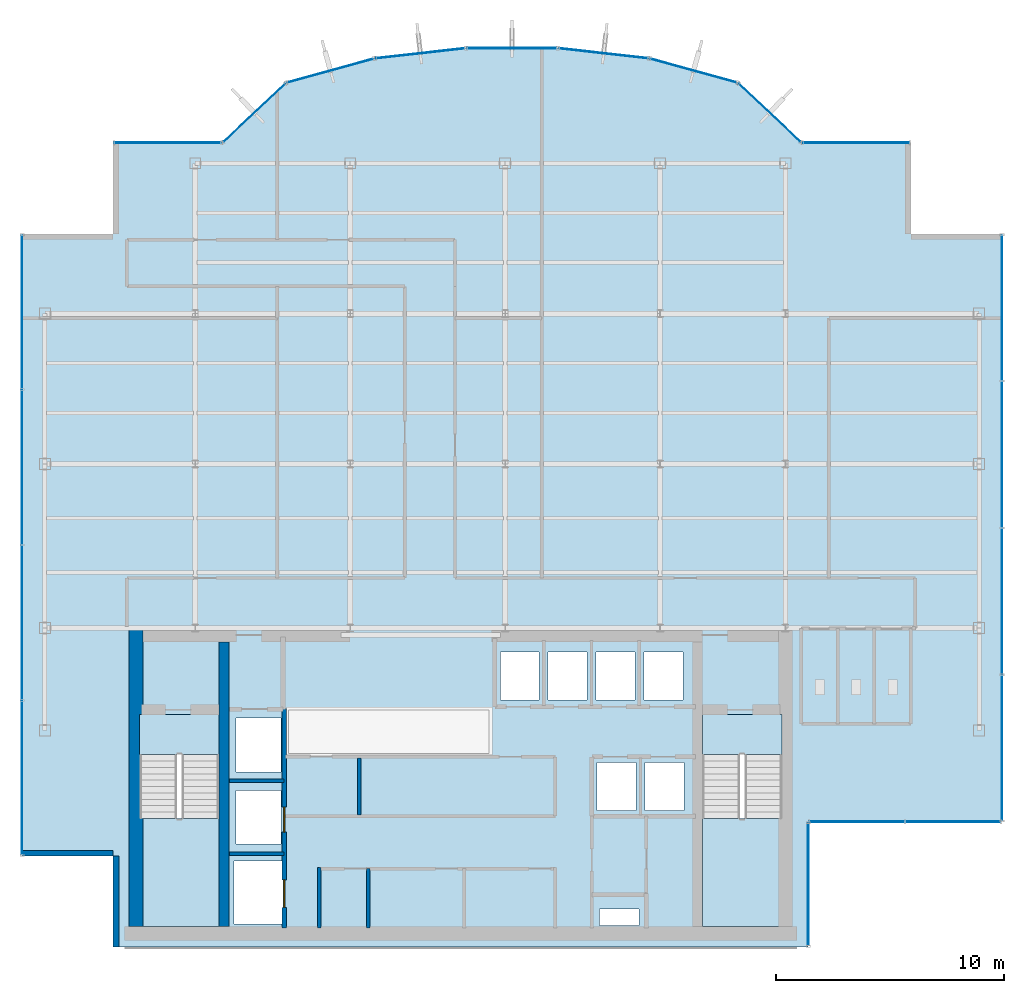
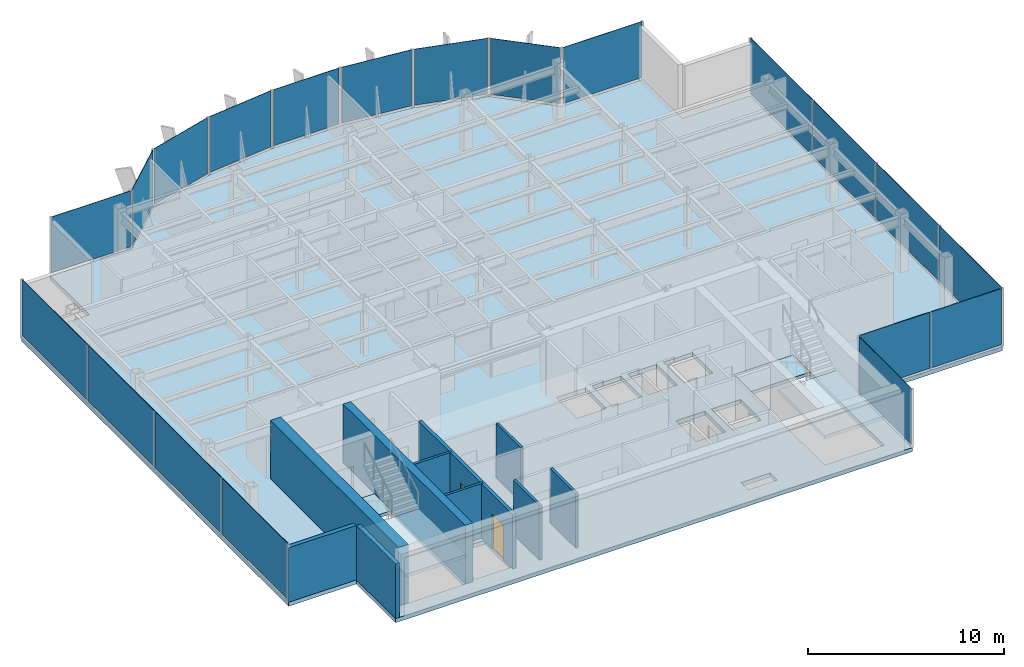
# One storey, part 16 of 22: 20 plates, 10 walls, 5 slabs, 2 doors, 2 openings, 15 elements without a shape of their own.
"""IFC4 building model written with IfcOpenShell, lengths in metres."""

from ifc_helpers import new_model, si_unit, derived_unit, direction, frame, frame_2d, origin, origin_2d, place, context, subcontext, project, spatial, polyline, rectangle, outline, extrude, source, transform, mapped, material, layer, layer_set, type_object, element, fill, aggregate, save


model = new_model("IFC4")

# Units and contexts
model_context = context("Model", 3, precision=1e-05, world=origin(), true_north=direction((0.0, 1.0)))
body_context = subcontext(model_context, "Body", "Model", "MODEL_VIEW")
ifc_project = project(units=[si_unit("LENGTHUNIT", "METRE"), si_unit("AREAUNIT", "SQUARE_METRE"), si_unit("VOLUMEUNIT", "CUBIC_METRE"), si_unit("PLANEANGLEUNIT", "RADIAN"), si_unit("MASSUNIT", "GRAM", prefix="KILO"), derived_unit("THERMALTRANSMITTANCEUNIT", [(si_unit("POWERUNIT", "WATT"), 1), (si_unit("LENGTHUNIT", "METRE"), -2), (si_unit("THERMODYNAMICTEMPERATUREUNIT", "KELVIN"), -1)])], contexts=[model_context])

# Site, building, storey
site_placement = place(None, origin())
site = spatial("IfcSite", under=ifc_project, at=site_placement, CompositionType="ELEMENT")
building_placement = place(site_placement, origin())
building = spatial("IfcBuilding", under=site, at=building_placement, Name="Skarnbrae Concourse Arena and Tower", CompositionType="ELEMENT")
storey_placement = place(building_placement, frame((0.0, 0.0, 192.25)))
storey = spatial("IfcBuildingStorey", under=building, at=storey_placement, Name="L49", CompositionType="ELEMENT", Elevation=192.25)

# Stair, slab
ifc_material_1 = material(Name="Concrete 40 MPa (C40/50)", Category="concrete")
stair_type = type_object("IfcStairType", Name="STAIR-DOGLEG-1650", PredefinedType="HALF_TURN_STAIR", material=ifc_material_1)
stair_1_placement = place(storey_placement, origin())
stair_1 = element("IfcStair", 1, at=stair_1_placement, inside=storey, type_object=stair_type, Name="L49 Protected Exit Stair ST-1", PredefinedType="HALF_TURN_STAIR")
ifc_layer_1 = layer(ifc_material_1, 0.199951171875)
ifc_layer_set_1 = layer_set([ifc_layer_1], Name="Concrete 40 MPa (C40/50)")
slab_type_1 = type_object("IfcSlabType", Name="SLAB-LANDING-200", PredefinedType="LANDING", material=ifc_layer_set_1)
slab_1_placement = place(storey_placement, frame((0.0, 0.0, 1.625)))
slab_1 = element("IfcSlab", 2, at=slab_1_placement, type_object=slab_type_1, Name="ST-1 landing 1", PredefinedType="LANDING", context=body_context, shape_type="SweptSolid", body=[
    extrude(outline(polyline([(5.14990234375, 5.64990234375), (5.14990234375, 0.89990234375), (8.64990234375, 0.89990234375), (8.64990234375, 5.64990234375), (5.14990234375, 5.64990234375)])), origin(), (0.0, 0.0, 1.0), 0.199951171875),
])
aggregate(stair_1, [slab_1])

stair_2_placement = place(storey_placement, origin())
stair_2 = element("IfcStair", 3, at=stair_2_placement, inside=storey, type_object=stair_type, Name="L49 Protected Exit Stair ST-2", PredefinedType="HALF_TURN_STAIR")
slab_2_placement = place(storey_placement, frame((0.0, 0.0, 1.625)))
slab_2 = element("IfcSlab", 4, at=slab_2_placement, type_object=slab_type_1, Name="ST-2 landing 1", PredefinedType="LANDING", context=body_context, shape_type="SweptSolid", body=[
    extrude(outline(polyline([(29.85009765625, 5.64990234375), (29.85009765625, 0.89990234375), (33.35009765625, 0.89990234375), (33.35009765625, 5.64990234375), (29.85009765625, 5.64990234375)])), origin(), (0.0, 0.0, 1.0), 0.199951171875),
])
aggregate(stair_2, [slab_2])

# Slabs
slab_3_placement = place(storey_placement, frame((0.0, 0.0, -0.199951171875)))
element("IfcSlab", 5, at=slab_3_placement, inside=storey, type_object=slab_type_1, Name="L49 Core stair ST1 floor landing", PredefinedType="LANDING", context=body_context, shape_type="SweptSolid", body=[
    extrude(outline(polyline([(5.14990234375, 10.199951171875), (5.14990234375, 8.449951171875), (8.64990234375, 8.449951171875), (8.64990234375, 10.199951171875), (5.14990234375, 10.199951171875)])), origin(), (0.0, 0.0, 1.0), 0.199951171875),
])
slab_4_placement = place(storey_placement, frame((0.0, 0.0, -0.199951171875)))
element("IfcSlab", 6, at=slab_4_placement, inside=storey, type_object=slab_type_1, Name="L49 Core stair ST2 floor landing", PredefinedType="LANDING", context=body_context, shape_type="SweptSolid", body=[
    extrude(outline(polyline([(29.85009765625, 10.199951171875), (29.85009765625, 8.449951171875), (33.35009765625, 8.449951171875), (33.35009765625, 10.199951171875), (29.85009765625, 10.199951171875)])), origin(), (0.0, 0.0, 1.0), 0.199951171875),
])
ifc_layer_2 = layer(ifc_material_1, 0.25)
ifc_layer_set_2 = layer_set([ifc_layer_2], Name="Concrete 40 MPa (C40/50)")
slab_type_2 = type_object("IfcSlabType", Name="SLAB-TOWER-250", PredefinedType="FLOOR", material=ifc_layer_set_2)
slab_5_placement = place(storey_placement, frame((0.0, 0.0, -0.25)))
element("IfcSlab", 7, at=slab_5_placement, inside=storey, type_object=slab_type_2, Name="L49 Structural floor slab", PredefinedType="FLOOR", context=body_context, shape_type="SweptSolid", body=[
    extrude(outline(polyline([(4.0, 0.0), (34.5, 0.0), (34.5, 5.5), (43.0, 5.5), (43.0, 31.300048828125), (39.0, 31.300048828125), (39.0, 35.300048828125), (34.199951171875, 35.300048828125), (31.40966796875, 37.9267578125), (27.52587890625, 38.9970703125), (23.51708984375, 39.44677734375), (19.48291015625, 39.44677734375), (15.47412109375, 38.9970703125), (11.59033203125, 37.9267578125), (8.800048828125, 35.300048828125), (4.0, 35.300048828125), (4.0, 31.300048828125), (0.0, 31.300048828125), (0.0, 4.0), (4.0, 4.0), (4.0, 0.0)]), holes=[polyline([(9.294921875, 1.02001953125), (9.294921875, 3.780029296875), (11.455078125, 3.780029296875), (11.455078125, 1.02001953125), (9.294921875, 1.02001953125)]), polyline([(8.64990234375, 10.199951171875), (8.64990234375, 0.89990234375), (5.14990234375, 0.89990234375), (5.14990234375, 10.199951171875), (8.64990234375, 10.199951171875)]), polyline([(9.39501953125, 6.8798828125), (11.35498046875, 6.8798828125), (11.35498046875, 4.52001953125), (9.39501953125, 4.52001953125), (9.39501953125, 6.8798828125)]), polyline([(9.39501953125, 7.695068359375), (9.39501953125, 10.054931640625), (11.35498046875, 10.054931640625), (11.35498046875, 7.695068359375), (9.39501953125, 7.695068359375)]), polyline([(20.985107421875, 12.955078125), (22.695068359375, 12.955078125), (22.695068359375, 10.844970703125), (20.985107421875, 10.844970703125), (20.985107421875, 12.955078125)]), polyline([(23.0849609375, 12.955078125), (24.794921875, 12.955078125), (24.794921875, 10.844970703125), (23.0849609375, 10.844970703125), (23.0849609375, 12.955078125)]), polyline([(25.35009765625, 0.949951171875), (25.35009765625, 1.669921875), (27.080078125, 1.669921875), (27.080078125, 0.949951171875), (25.35009765625, 0.949951171875)]), polyline([(33.35009765625, 10.199951171875), (33.35009765625, 0.89990234375), (29.85009765625, 0.89990234375), (29.85009765625, 10.199951171875), (33.35009765625, 10.199951171875)]), polyline([(25.235107421875, 8.10498046875), (26.945068359375, 8.10498046875), (26.945068359375, 5.9951171875), (25.235107421875, 5.9951171875), (25.235107421875, 8.10498046875)]), polyline([(27.3349609375, 5.9951171875), (27.3349609375, 8.10498046875), (29.044921875, 8.10498046875), (29.044921875, 5.9951171875), (27.3349609375, 5.9951171875)]), polyline([(25.18505859375, 12.955078125), (26.89501953125, 12.955078125), (26.89501953125, 10.844970703125), (25.18505859375, 10.844970703125), (25.18505859375, 12.955078125)]), polyline([(27.284912109375, 12.955078125), (28.9951171875, 12.955078125), (28.9951171875, 10.844970703125), (27.284912109375, 10.844970703125), (27.284912109375, 12.955078125)])]), origin(), (0.0, 0.0, 1.0), 0.25),
])

# Curtain wall, plate
ifc_material_2 = material(Name="Bronze anodised aluminium 6063-T6", Category="aluminium")
curtain_wall_type = type_object("IfcCurtainWallType", Name="CW-SYS-05-HIGHZONE", PredefinedType="USERDEFINED", material=ifc_material_2)
curtain_wall_1_placement = place(storey_placement, origin())
curtain_wall_1 = element("IfcCurtainWall", 8, at=curtain_wall_1_placement, inside=storey, type_object=curtain_wall_type, Name="L49 Unitised curtain wall CW-L49-E02", ObjectType="UNITISED CURTAIN WALL", PredefinedType="USERDEFINED")
ifc_material_3 = material(Name="Low-E triple insulating glass", Category="glass")
ifc_layer_3 = layer(ifc_material_3, 0.030029296875)
ifc_layer_set_3 = layer_set([ifc_layer_3], Name="Low-E triple insulating glass")
plate_type = type_object("IfcPlateType", Name="CWP-CW-05", PredefinedType="CURTAIN_PANEL", material=ifc_layer_set_3)
shared_shape_1 = source(origin(), body_context, "Body", "SweptSolid", [
    extrude(rectangle(XDim=5.35009765625, YDim=0.030029296875, at=origin_2d()), origin(), (0.0, 0.0, 1.0), 3.5),
])
plate_1_placement = place(storey_placement, frame((34.5, 2.75, 0.14990234375), z_axis=(0.0, 0.0, 1.0), x_axis=(0.0, 1.0, 0.0)))
plate_1 = element("IfcPlate", 9, at=plate_1_placement, type_object=plate_type, Name="CW-L49-E02 Low-E Glazing Panel 1", PredefinedType="CURTAIN_PANEL", context=body_context, shape_type="MappedRepresentation", body=[
    mapped(shared_shape_1, transform((0.0, 0.0, 0.0))),
])
aggregate(curtain_wall_1, [plate_1])

# Curtain wall, plates
curtain_wall_2_placement = place(storey_placement, origin())
curtain_wall_2 = element("IfcCurtainWall", 10, at=curtain_wall_2_placement, inside=storey, type_object=curtain_wall_type, Name="L49 Unitised curtain wall CW-L49-E03", ObjectType="UNITISED CURTAIN WALL", PredefinedType="USERDEFINED")
shared_shape_2 = source(origin(), body_context, "Body", "SweptSolid", [
    extrude(rectangle(XDim=4.137451171875, YDim=0.030029296875, at=origin_2d()), origin(), (0.0, 0.0, 1.0), 3.5),
])
plate_2_placement = place(storey_placement, frame((36.643798828125, 5.5, 0.14990234375), z_axis=(0.0, 0.0, 1.0), x_axis=(1.0, 0.0, 0.0)))
plate_2 = element("IfcPlate", 11, at=plate_2_placement, type_object=plate_type, Name="CW-L49-E03 Low-E Glazing Panel 1", PredefinedType="CURTAIN_PANEL", context=body_context, shape_type="MappedRepresentation", body=[
    mapped(shared_shape_2, transform((0.0, 0.0, 0.0))),
])
plate_3_placement = place(storey_placement, frame((40.856201171875, 5.5, 0.14990234375), z_axis=(0.0, 0.0, 1.0), x_axis=(1.0, 0.0, 0.0)))
plate_3 = element("IfcPlate", 12, at=plate_3_placement, type_object=plate_type, Name="CW-L49-E03 Low-E Glazing Panel 2", PredefinedType="CURTAIN_PANEL", context=body_context, shape_type="MappedRepresentation", body=[
    mapped(shared_shape_2, transform((0.0, 0.0, 0.0))),
])
aggregate(curtain_wall_2, [plate_2, plate_3])

# Curtain wall, plate
curtain_wall_3_placement = place(storey_placement, origin())
curtain_wall_3 = element("IfcCurtainWall", 13, at=curtain_wall_3_placement, inside=storey, type_object=curtain_wall_type, Name="L49 Unitised curtain wall CW-L49-E07", ObjectType="UNITISED CURTAIN WALL", PredefinedType="USERDEFINED")
shared_shape_3 = source(origin(), body_context, "Body", "SweptSolid", [
    extrude(rectangle(XDim=4.64990234375, YDim=0.030029296875, at=origin_2d()), origin(), (0.0, 0.0, 1.0), 3.5),
])
plate_4_placement = place(storey_placement, frame((36.60009765625, 35.300048828125, 0.14990234375), z_axis=(0.0, 0.0, 1.0), x_axis=(-1.0, 0.0, 0.0)))
plate_4 = element("IfcPlate", 14, at=plate_4_placement, type_object=plate_type, Name="CW-L49-E07 Low-E Glazing Panel 1", PredefinedType="CURTAIN_PANEL", context=body_context, shape_type="MappedRepresentation", body=[
    mapped(shared_shape_3, transform((0.0, 0.0, 0.0))),
])
aggregate(curtain_wall_3, [plate_4])

curtain_wall_4_placement = place(storey_placement, origin())
curtain_wall_4 = element("IfcCurtainWall", 15, at=curtain_wall_4_placement, inside=storey, type_object=curtain_wall_type, Name="L49 Unitised curtain wall CW-L49-E15", ObjectType="UNITISED CURTAIN WALL", PredefinedType="USERDEFINED")
plate_5_placement = place(storey_placement, frame((6.39990234375, 35.300048828125, 0.14990234375), z_axis=(0.0, 0.0, 1.0), x_axis=(-1.0, 0.0, 0.0)))
plate_5 = element("IfcPlate", 16, at=plate_5_placement, type_object=plate_type, Name="CW-L49-E15 Low-E Glazing Panel 1", PredefinedType="CURTAIN_PANEL", context=body_context, shape_type="MappedRepresentation", body=[
    mapped(shared_shape_3, transform((0.0, 0.0, 0.0))),
])
aggregate(curtain_wall_4, [plate_5])

curtain_wall_5_placement = place(storey_placement, origin())
curtain_wall_5 = element("IfcCurtainWall", 17, at=curtain_wall_5_placement, inside=storey, type_object=curtain_wall_type, Name="L49 Unitised curtain wall CW-L49-E08", ObjectType="UNITISED CURTAIN WALL", PredefinedType="USERDEFINED")
shared_shape_4 = source(origin(), body_context, "Body", "SweptSolid", [
    extrude(rectangle(XDim=3.68212890625, YDim=0.030029296875, at=origin_2d()), origin(), (0.0, 0.0, 1.0), 3.5),
])
plate_6_placement = place(storey_placement, frame((32.804931640625, 36.61328125, 0.14990234375), z_axis=(0.0, 0.0, 1.0), x_axis=(-0.728130555214, 0.685438468838, 0.0)))
plate_6 = element("IfcPlate", 18, at=plate_6_placement, type_object=plate_type, Name="CW-L49-E08 Low-E Glazing Panel 1", PredefinedType="CURTAIN_PANEL", context=body_context, shape_type="MappedRepresentation", body=[
    mapped(shared_shape_4, transform((0.0, 0.0, 0.0))),
])
aggregate(curtain_wall_5, [plate_6])

curtain_wall_6_placement = place(storey_placement, origin())
curtain_wall_6 = element("IfcCurtainWall", 19, at=curtain_wall_6_placement, inside=storey, type_object=curtain_wall_type, Name="L49 Unitised curtain wall CW-L49-E14", ObjectType="UNITISED CURTAIN WALL", PredefinedType="USERDEFINED")
plate_7_placement = place(storey_placement, frame((10.195068359375, 36.61328125, 0.14990234375), z_axis=(0.0, 0.0, 1.0), x_axis=(-0.728130555214, -0.685438468838, 0.0)))
plate_7 = element("IfcPlate", 20, at=plate_7_placement, type_object=plate_type, Name="CW-L49-E14 Low-E Glazing Panel 1", PredefinedType="CURTAIN_PANEL", context=body_context, shape_type="MappedRepresentation", body=[
    mapped(shared_shape_4, transform((0.0, 0.0, 0.0))),
])
aggregate(curtain_wall_6, [plate_7])

curtain_wall_7_placement = place(storey_placement, origin())
curtain_wall_7 = element("IfcCurtainWall", 21, at=curtain_wall_7_placement, inside=storey, type_object=curtain_wall_type, Name="L49 Unitised curtain wall CW-L49-E09", ObjectType="UNITISED CURTAIN WALL", PredefinedType="USERDEFINED")
shared_shape_5 = source(origin(), body_context, "Body", "SweptSolid", [
    extrude(rectangle(XDim=3.878662109375, YDim=0.030029296875, at=origin_2d()), origin(), (0.0, 0.0, 1.0), 3.5),
])
plate_8_placement = place(storey_placement, frame((29.4677734375, 38.4619140625, 0.14990234375), z_axis=(0.0, 0.0, 1.0), x_axis=(-0.964057388766, 0.265694093207, 0.0)))
plate_8 = element("IfcPlate", 22, at=plate_8_placement, type_object=plate_type, Name="CW-L49-E09 Low-E Glazing Panel 1", PredefinedType="CURTAIN_PANEL", context=body_context, shape_type="MappedRepresentation", body=[
    mapped(shared_shape_5, transform((0.0, 0.0, 0.0))),
])
aggregate(curtain_wall_7, [plate_8])

curtain_wall_8_placement = place(storey_placement, origin())
curtain_wall_8 = element("IfcCurtainWall", 23, at=curtain_wall_8_placement, inside=storey, type_object=curtain_wall_type, Name="L49 Unitised curtain wall CW-L49-E13", ObjectType="UNITISED CURTAIN WALL", PredefinedType="USERDEFINED")
plate_9_placement = place(storey_placement, frame((13.5322265625, 38.4619140625, 0.14990234375), z_axis=(0.0, 0.0, 1.0), x_axis=(-0.964057388766, -0.265694093207, 0.0)))
plate_9 = element("IfcPlate", 24, at=plate_9_placement, type_object=plate_type, Name="CW-L49-E13 Low-E Glazing Panel 1", PredefinedType="CURTAIN_PANEL", context=body_context, shape_type="MappedRepresentation", body=[
    mapped(shared_shape_5, transform((0.0, 0.0, 0.0))),
])
aggregate(curtain_wall_8, [plate_9])

curtain_wall_9_placement = place(storey_placement, origin())
curtain_wall_9 = element("IfcCurtainWall", 25, at=curtain_wall_9_placement, inside=storey, type_object=curtain_wall_type, Name="L49 Unitised curtain wall CW-L49-E10", ObjectType="UNITISED CURTAIN WALL", PredefinedType="USERDEFINED")
shared_shape_6 = source(origin(), body_context, "Body", "SweptSolid", [
    extrude(rectangle(XDim=3.8837890625, YDim=0.030029296875, at=origin_2d()), origin(), (0.0, 0.0, 1.0), 3.5),
])
plate_10_placement = place(storey_placement, frame((25.521484375, 39.221923828125, 0.14990234375), z_axis=(0.0, 0.0, 1.0), x_axis=(-0.993768891873, 0.111460259941, 0.0)))
plate_10 = element("IfcPlate", 26, at=plate_10_placement, type_object=plate_type, Name="CW-L49-E10 Low-E Glazing Panel 1", PredefinedType="CURTAIN_PANEL", context=body_context, shape_type="MappedRepresentation", body=[
    mapped(shared_shape_6, transform((0.0, 0.0, 0.0))),
])
aggregate(curtain_wall_9, [plate_10])

curtain_wall_10_placement = place(storey_placement, origin())
curtain_wall_10 = element("IfcCurtainWall", 27, at=curtain_wall_10_placement, inside=storey, type_object=curtain_wall_type, Name="L49 Unitised curtain wall CW-L49-E12", ObjectType="UNITISED CURTAIN WALL", PredefinedType="USERDEFINED")
plate_11_placement = place(storey_placement, frame((17.478515625, 39.221923828125, 0.14990234375), z_axis=(0.0, 0.0, 1.0), x_axis=(-0.993768891873, -0.111460259941, 0.0)))
plate_11 = element("IfcPlate", 28, at=plate_11_placement, type_object=plate_type, Name="CW-L49-E12 Low-E Glazing Panel 1", PredefinedType="CURTAIN_PANEL", context=body_context, shape_type="MappedRepresentation", body=[
    mapped(shared_shape_6, transform((0.0, 0.0, 0.0))),
])
aggregate(curtain_wall_10, [plate_11])

curtain_wall_11_placement = place(storey_placement, origin())
curtain_wall_11 = element("IfcCurtainWall", 29, at=curtain_wall_11_placement, inside=storey, type_object=curtain_wall_type, Name="L49 Unitised curtain wall CW-L49-E11", ObjectType="UNITISED CURTAIN WALL", PredefinedType="USERDEFINED")
shared_shape_7 = source(origin(), body_context, "Body", "SweptSolid", [
    extrude(rectangle(XDim=3.884521484375, YDim=0.030029296875, at=origin_2d()), origin(), (0.0, 0.0, 1.0), 3.5),
])
plate_12_placement = place(storey_placement, frame((21.5, 39.44677734375, 0.14990234375), z_axis=(0.0, 0.0, 1.0), x_axis=(-1.0, 0.0, 0.0)))
plate_12 = element("IfcPlate", 30, at=plate_12_placement, type_object=plate_type, Name="CW-L49-E11 Low-E Glazing Panel 1", PredefinedType="CURTAIN_PANEL", context=body_context, shape_type="MappedRepresentation", body=[
    mapped(shared_shape_7, transform((0.0, 0.0, 0.0))),
])
aggregate(curtain_wall_11, [plate_12])

# Curtain wall, plates
curtain_wall_12_placement = place(storey_placement, origin())
curtain_wall_12 = element("IfcCurtainWall", 31, at=curtain_wall_12_placement, inside=storey, type_object=curtain_wall_type, Name="L49 Unitised curtain wall CW-L49-E18", ObjectType="UNITISED CURTAIN WALL", PredefinedType="USERDEFINED")
shared_shape_8 = source(origin(), body_context, "Body", "SweptSolid", [
    extrude(rectangle(XDim=6.71240234375, YDim=0.030029296875, at=origin_2d()), origin(), (0.0, 0.0, 1.0), 3.5),
])
plate_13_placement = place(storey_placement, frame((0.0, 27.86865234375, 0.14990234375), z_axis=(0.0, 0.0, 1.0), x_axis=(0.0, -1.0, 0.0)))
plate_13 = element("IfcPlate", 32, at=plate_13_placement, type_object=plate_type, Name="CW-L49-E18 Low-E Glazing Panel 1", PredefinedType="CURTAIN_PANEL", context=body_context, shape_type="MappedRepresentation", body=[
    mapped(shared_shape_8, transform((0.0, 0.0, 0.0))),
])
plate_14_placement = place(storey_placement, frame((0.0, 7.431396484375, 0.14990234375), z_axis=(0.0, 0.0, 1.0), x_axis=(0.0, -1.0, 0.0)))
plate_14 = element("IfcPlate", 33, at=plate_14_placement, type_object=plate_type, Name="CW-L49-E18 Low-E Glazing Panel 4", PredefinedType="CURTAIN_PANEL", context=body_context, shape_type="MappedRepresentation", body=[
    mapped(shared_shape_8, transform((0.0, 0.0, 0.0))),
])
shared_shape_9 = source(origin(), body_context, "Body", "SweptSolid", [
    extrude(rectangle(XDim=6.75, YDim=0.030029296875, at=origin_2d()), origin(), (0.0, 0.0, 1.0), 3.5),
])
plate_15_placement = place(storey_placement, frame((0.0, 21.0625, 0.14990234375), z_axis=(0.0, 0.0, 1.0), x_axis=(0.0, -1.0, 0.0)))
plate_15 = element("IfcPlate", 34, at=plate_15_placement, type_object=plate_type, Name="CW-L49-E18 Low-E Glazing Panel 2", PredefinedType="CURTAIN_PANEL", context=body_context, shape_type="MappedRepresentation", body=[
    mapped(shared_shape_9, transform((0.0, 0.0, 0.0))),
])
plate_16_placement = place(storey_placement, frame((0.0, 14.237548828125, 0.14990234375), z_axis=(0.0, 0.0, 1.0), x_axis=(0.0, -1.0, 0.0)))
plate_16 = element("IfcPlate", 35, at=plate_16_placement, type_object=plate_type, Name="CW-L49-E18 Low-E Glazing Panel 3", PredefinedType="CURTAIN_PANEL", context=body_context, shape_type="MappedRepresentation", body=[
    mapped(shared_shape_9, transform((0.0, 0.0, 0.0))),
])
aggregate(curtain_wall_12, [plate_13, plate_15, plate_16, plate_14])

curtain_wall_13_placement = place(storey_placement, origin())
curtain_wall_13 = element("IfcCurtainWall", 36, at=curtain_wall_13_placement, inside=storey, type_object=curtain_wall_type, Name="L49 Unitised curtain wall CW-L49-E04", ObjectType="UNITISED CURTAIN WALL", PredefinedType="USERDEFINED")
shared_shape_10 = source(origin(), body_context, "Body", "SweptSolid", [
    extrude(rectangle(XDim=6.33740234375, YDim=0.030029296875, at=origin_2d()), origin(), (0.0, 0.0, 1.0), 3.5),
])
plate_17_placement = place(storey_placement, frame((43.0, 8.743896484375, 0.14990234375), z_axis=(0.0, 0.0, 1.0), x_axis=(0.0, 1.0, 0.0)))
plate_17 = element("IfcPlate", 37, at=plate_17_placement, type_object=plate_type, Name="CW-L49-E04 Low-E Glazing Panel 1", PredefinedType="CURTAIN_PANEL", context=body_context, shape_type="MappedRepresentation", body=[
    mapped(shared_shape_10, transform((0.0, 0.0, 0.0))),
])
plate_18_placement = place(storey_placement, frame((43.0, 28.05615234375, 0.14990234375), z_axis=(0.0, 0.0, 1.0), x_axis=(0.0, 1.0, 0.0)))
plate_18 = element("IfcPlate", 38, at=plate_18_placement, type_object=plate_type, Name="CW-L49-E04 Low-E Glazing Panel 4", PredefinedType="CURTAIN_PANEL", context=body_context, shape_type="MappedRepresentation", body=[
    mapped(shared_shape_10, transform((0.0, 0.0, 0.0))),
])
shared_shape_11 = source(origin(), body_context, "Body", "SweptSolid", [
    extrude(rectangle(XDim=6.375, YDim=0.030029296875, at=origin_2d()), origin(), (0.0, 0.0, 1.0), 3.5),
])
plate_19_placement = place(storey_placement, frame((43.0, 15.175048828125, 0.14990234375), z_axis=(0.0, 0.0, 1.0), x_axis=(0.0, 1.0, 0.0)))
plate_19 = element("IfcPlate", 39, at=plate_19_placement, type_object=plate_type, Name="CW-L49-E04 Low-E Glazing Panel 2", PredefinedType="CURTAIN_PANEL", context=body_context, shape_type="MappedRepresentation", body=[
    mapped(shared_shape_11, transform((0.0, 0.0, 0.0))),
])
plate_20_placement = place(storey_placement, frame((43.0, 21.625, 0.14990234375), z_axis=(0.0, 0.0, 1.0), x_axis=(0.0, 1.0, 0.0)))
plate_20 = element("IfcPlate", 40, at=plate_20_placement, type_object=plate_type, Name="CW-L49-E04 Low-E Glazing Panel 3", PredefinedType="CURTAIN_PANEL", context=body_context, shape_type="MappedRepresentation", body=[
    mapped(shared_shape_11, transform((0.0, 0.0, 0.0))),
])
aggregate(curtain_wall_13, [plate_17, plate_19, plate_20, plate_18])

# Walls
ifc_material_4 = material(Name="Concrete 50 MPa (C50/60)", Category="concrete")
ifc_layer_4 = layer(ifc_material_4, 0.60009765625)
ifc_layer_set_4 = layer_set([ifc_layer_4], Name="Concrete 50 MPa (C50/60)")
wall_type_1 = type_object("IfcWallType", Name="WALL-CORE-600-C50", PredefinedType="SHEAR", material=ifc_layer_set_4)
shared_shape_12 = source(origin(), body_context, "Body", "SweptSolid", [
    extrude(rectangle(XDim=13.10009765625, YDim=0.60009765625, at=frame_2d((6.550048828125, 0.0))), origin(), (0.0, 0.0, 1.0), 3.64990234375),
])
wall_1_placement = place(storey_placement, frame((5.0, 0.89990234375, 0.0), z_axis=(0.0, 0.0, 1.0), x_axis=(0.0, 1.0, 0.0)))
element("IfcWall", 41, at=wall_1_placement, inside=storey, type_object=wall_type_1, Name="L49 Rear core shear wall CW-W", PredefinedType="SHEAR", context=body_context, shape_type="MappedRepresentation", body=[
    mapped(shared_shape_12, transform((0.0, 0.0, 0.0))),
])
ifc_layer_5 = layer(ifc_material_4, 0.449951171875)
ifc_layer_set_5 = layer_set([ifc_layer_5], Name="Concrete 50 MPa (C50/60)")
wall_type_2 = type_object("IfcWallType", Name="WALL-CORE-450-C50", PredefinedType="SHEAR", material=ifc_layer_set_5)
shared_shape_13 = source(origin(), body_context, "Body", "SweptSolid", [
    extrude(rectangle(XDim=12.5, YDim=0.449951171875, at=frame_2d((6.25, 0.0))), origin(), (0.0, 0.0, 1.0), 3.64990234375),
])
wall_2_placement = place(storey_placement, frame((8.864990234375, 0.89990234375, 0.0), z_axis=(0.0, 0.0, 1.0), x_axis=(0.0, 1.0, 0.0)))
element("IfcWall", 42, at=wall_2_placement, inside=storey, type_object=wall_type_2, Name="L49 Rear core shear wall CW-WEB-W", PredefinedType="SHEAR", context=body_context, shape_type="MappedRepresentation", body=[
    mapped(shared_shape_13, transform((0.0, 0.0, 0.0))),
])
ifc_material_5 = material(Name="Precast concrete 40 MPa (C40/50)", Category="concrete")
ifc_layer_6 = layer(ifc_material_5, 0.25)
ifc_layer_set_6 = layer_set([ifc_layer_6], Name="Precast concrete 40 MPa (C40/50)")
wall_type_3 = type_object("IfcWallType", Name="WALL-EXT-SPANDREL-250", PredefinedType="STANDARD", material=ifc_layer_set_6)
shared_shape_14 = source(origin(), body_context, "Body", "SweptSolid", [
    extrude(rectangle(XDim=4.0, YDim=0.25, at=frame_2d((2.0, 0.0))), origin(), (0.0, 0.0, 1.0), 3.39990234375),
])
for number, where, z_axis, x_axis, name in (
    (43, (0.0, 4.125, 0.0), (0.0, 0.0, 1.0), (1.0, 0.0, 0.0), "L49 Notched corner insulated return wall 19"),
    (44, (4.125, 4.0, 0.0), (0.0, 0.0, 1.0), (0.0, -1.0, 0.0), "L49 Notched corner insulated return wall 20"),
):
    element("IfcWall", number, at=place(storey_placement, frame(where, z_axis=z_axis, x_axis=x_axis)), inside=storey, type_object=wall_type_3, Name=name, PredefinedType="STANDARD", context=body_context, shape_type="MappedRepresentation", body=[
        mapped(shared_shape_14, transform((0.0, 0.0, 0.0))),
    ])

# Wall, openings, doors
ifc_material_6 = material(Name="Gypsum board on cold-formed steel studs", Category="steel")
ifc_layer_7 = layer(ifc_material_6, 0.199951171875)
ifc_layer_set_7 = layer_set([ifc_layer_7], Name="Gypsum board on cold-formed steel studs")
wall_type_4 = type_object("IfcWallType", Name="WALL-PART-200-2HR", PredefinedType="PARTITIONING", material=ifc_layer_set_7)
shared_shape_15 = source(origin(), body_context, "Body", "SweptSolid", [
    extrude(rectangle(XDim=9.599853515625, YDim=0.199951171875, at=frame_2d((4.7998046875, 0.0))), origin(), (0.0, 0.0, 1.0), 3.39990234375),
])
wall_3_placement = place(storey_placement, frame((11.5, 0.85009765625, 0.0), z_axis=(0.0, 0.0, 1.0), x_axis=(0.0, 1.0, 0.0)))
wall_3 = element("IfcWall", 45, at=wall_3_placement, inside=storey, type_object=wall_type_4, Name="L49 Interior partition wall W-L49-FL-E", PredefinedType="PARTITIONING", context=body_context, shape_type="MappedRepresentation", body=[
    mapped(shared_shape_15, transform((0.0, 0.0, 0.0))),
])
opening_1_placement = place(wall_3_placement, frame((4.199951171875, 0.0, 0.0)))
opening_1 = element("IfcOpeningElement", 46, at=opening_1_placement, cuts=wall_3, Name="Opening LD-01", PredefinedType="OPENING", context=body_context, shape_type="SweptSolid", body=[
    extrude(rectangle(XDim=1.10009765625, YDim=2.14990234375, at=frame_2d((0.550048828125, 1.074951171875))), frame((0.0, 0.10986328125, 0.0), z_axis=(0.0, -1.0, 0.0), x_axis=(1.0, 0.0, 0.0)), (0.0, 0.0, 1.0), 0.219970703125),
])
opening_2_placement = place(wall_3_placement, frame((0.89990234375, 0.0, 0.0)))
opening_2 = element("IfcOpeningElement", 47, at=opening_2_placement, cuts=wall_3, Name="Opening LD-02", PredefinedType="OPENING", context=body_context, shape_type="SweptSolid", body=[
    extrude(rectangle(XDim=1.199951171875, YDim=2.14990234375, at=frame_2d((0.60009765625, 1.074951171875))), frame((0.0, 0.10986328125, 0.0), z_axis=(0.0, -1.0, 0.0), x_axis=(1.0, 0.0, 0.0)), (0.0, 0.0, 1.0), 0.219970703125),
])
ifc_material_7 = material(Name="Steel CSA G40.21 350W", Category="steel")
door_type_1 = type_object("IfcDoorType", Name="DOOR-LIFT-SLIDE-1100", OperationType="SLIDING_TO_LEFT", PredefinedType="DOOR", material=ifc_material_7)
shared_shape_16 = source(origin(), body_context, "Body", "SweptSolid", [
    extrude(rectangle(XDim=1.10009765625, YDim=2.14990234375, at=frame_2d((0.550048828125, 1.074951171875))), frame((0.0, 0.02490234375, 0.0), z_axis=(0.0, -1.0, 0.0), x_axis=(1.0, 0.0, 0.0)), (0.0, 0.0, 1.0), 0.050048828125),
])
door_1_placement = place(opening_1_placement, frame((1.10009765625, 0.0, 0.0), z_axis=(0.0, 0.0, 1.0), x_axis=(-1.0, 0.0, 0.0)))
door_1 = element("IfcDoor", 48, at=door_1_placement, inside=storey, type_object=door_type_1, Name="D-1500 Firefighting Lift Landing Door FL-02", OperationType="SLIDING_TO_LEFT", OverallHeight=2.14990234375, OverallWidth=1.10009765625, PredefinedType="DOOR", context=body_context, shape_type="MappedRepresentation", body=[
    mapped(shared_shape_16, transform((0.0, 0.0, 0.0))),
])
fill(opening_1, door_1)
door_type_2 = type_object("IfcDoorType", Name="DOOR-LIFT-SLIDE-1200", OperationType="SLIDING_TO_LEFT", PredefinedType="DOOR", material=ifc_material_7)
shared_shape_17 = source(origin(), body_context, "Body", "SweptSolid", [
    extrude(rectangle(XDim=1.199951171875, YDim=2.14990234375, at=frame_2d((0.60009765625, 1.074951171875))), frame((0.0, 0.02490234375, 0.0), z_axis=(0.0, -1.0, 0.0), x_axis=(1.0, 0.0, 0.0)), (0.0, 0.0, 1.0), 0.050048828125),
])
door_2_placement = place(opening_2_placement, frame((1.199951171875, 0.0, 0.0), z_axis=(0.0, 0.0, 1.0), x_axis=(-1.0, 0.0, 0.0)))
door_2 = element("IfcDoor", 49, at=door_2_placement, inside=storey, type_object=door_type_2, Name="D-1501 Service Lift Landing Door SV-01", OperationType="SLIDING_TO_LEFT", OverallHeight=2.14990234375, OverallWidth=1.199951171875, PredefinedType="DOOR", context=body_context, shape_type="MappedRepresentation", body=[
    mapped(shared_shape_17, transform((0.0, 0.0, 0.0))),
])
fill(opening_2, door_2)

# Walls
ifc_layer_8 = layer(ifc_material_6, 0.14990234375)
ifc_layer_set_8 = layer_set([ifc_layer_8], Name="Gypsum board on cold-formed steel studs")
wall_type_5 = type_object("IfcWallType", Name="WALL-PART-150", PredefinedType="PARTITIONING", material=ifc_layer_set_8)
shared_shape_18 = source(origin(), body_context, "Body", "SweptSolid", [
    extrude(rectangle(XDim=2.39990234375, YDim=0.14990234375, at=frame_2d((1.199951171875, 0.0))), origin(), (0.0, 0.0, 1.0), 3.39990234375),
])
for number, where, z_axis, x_axis, name in (
    (50, (9.10009765625, 4.10009765625, 0.0), (0.0, 0.0, 1.0), (1.0, 0.0, 0.0), "L49 Interior partition wall W-L49-FL-D1"),
    (51, (9.10009765625, 7.300048828125, 0.0), (0.0, 0.0, 1.0), (1.0, 0.0, 0.0), "L49 Interior partition wall W-L49-FL-D2"),
):
    element("IfcWall", number, at=place(storey_placement, frame(where, z_axis=z_axis, x_axis=x_axis)), inside=storey, type_object=wall_type_5, Name=name, PredefinedType="PARTITIONING", context=body_context, shape_type="MappedRepresentation", body=[
        mapped(shared_shape_18, transform((0.0, 0.0, 0.0))),
    ])
shared_shape_19 = source(origin(), body_context, "Body", "SweptSolid", [
    extrude(rectangle(XDim=2.599853515625, YDim=0.14990234375, at=frame_2d((1.2998046875, 0.0))), origin(), (0.0, 0.0, 1.0), 3.39990234375),
])
wall_4_placement = place(storey_placement, frame((15.199951171875, 0.85009765625, 0.0), z_axis=(0.0, 0.0, 1.0), x_axis=(0.0, 1.0, 0.0)))
element("IfcWall", 52, at=wall_4_placement, inside=storey, type_object=wall_type_5, Name="L49 Interior partition wall W-L49-B1M-C1", PredefinedType="PARTITIONING", context=body_context, shape_type="MappedRepresentation", body=[
    mapped(shared_shape_19, transform((0.0, 0.0, 0.0))),
])
shared_shape_20 = source(origin(), body_context, "Body", "SweptSolid", [
    extrude(rectangle(XDim=2.5, YDim=0.14990234375, at=frame_2d((1.25, 0.0))), origin(), (0.0, 0.0, 1.0), 3.39990234375),
])
wall_5_placement = place(storey_placement, frame((14.800048828125, 5.800048828125, 0.0), z_axis=(0.0, 0.0, 1.0), x_axis=(0.0, 1.0, 0.0)))
element("IfcWall", 53, at=wall_5_placement, inside=storey, type_object=wall_type_5, Name="L49 Interior partition wall W-L49-B2M-MID", PredefinedType="PARTITIONING", context=body_context, shape_type="MappedRepresentation", body=[
    mapped(shared_shape_20, transform((0.0, 0.0, 0.0))),
])
ifc_layer_9 = layer(ifc_material_6, 0.14990234375)
ifc_layer_set_9 = layer_set([ifc_layer_9], Name="Gypsum board on cold-formed steel studs")
wall_type_6 = type_object("IfcWallType", Name="WALL-PART-150-1HR", PredefinedType="PARTITIONING", material=ifc_layer_set_9)
shared_shape_21 = source(origin(), body_context, "Body", "SweptSolid", [
    extrude(rectangle(XDim=2.64990234375, YDim=0.14990234375, at=frame_2d((1.324951171875, 0.0))), origin(), (0.0, 0.0, 1.0), 3.39990234375),
])
wall_6_placement = place(storey_placement, frame((13.050048828125, 0.85009765625, 0.0), z_axis=(0.0, 0.0, 1.0), x_axis=(0.0, 1.0, 0.0)))
element("IfcWall", 54, at=wall_6_placement, inside=storey, type_object=wall_type_6, Name="L49 Interior partition wall W-L49-B1M-W", PredefinedType="PARTITIONING", context=body_context, shape_type="MappedRepresentation", body=[
    mapped(shared_shape_21, transform((0.0, 0.0, 0.0))),
])

save(model, "model.ifc")
